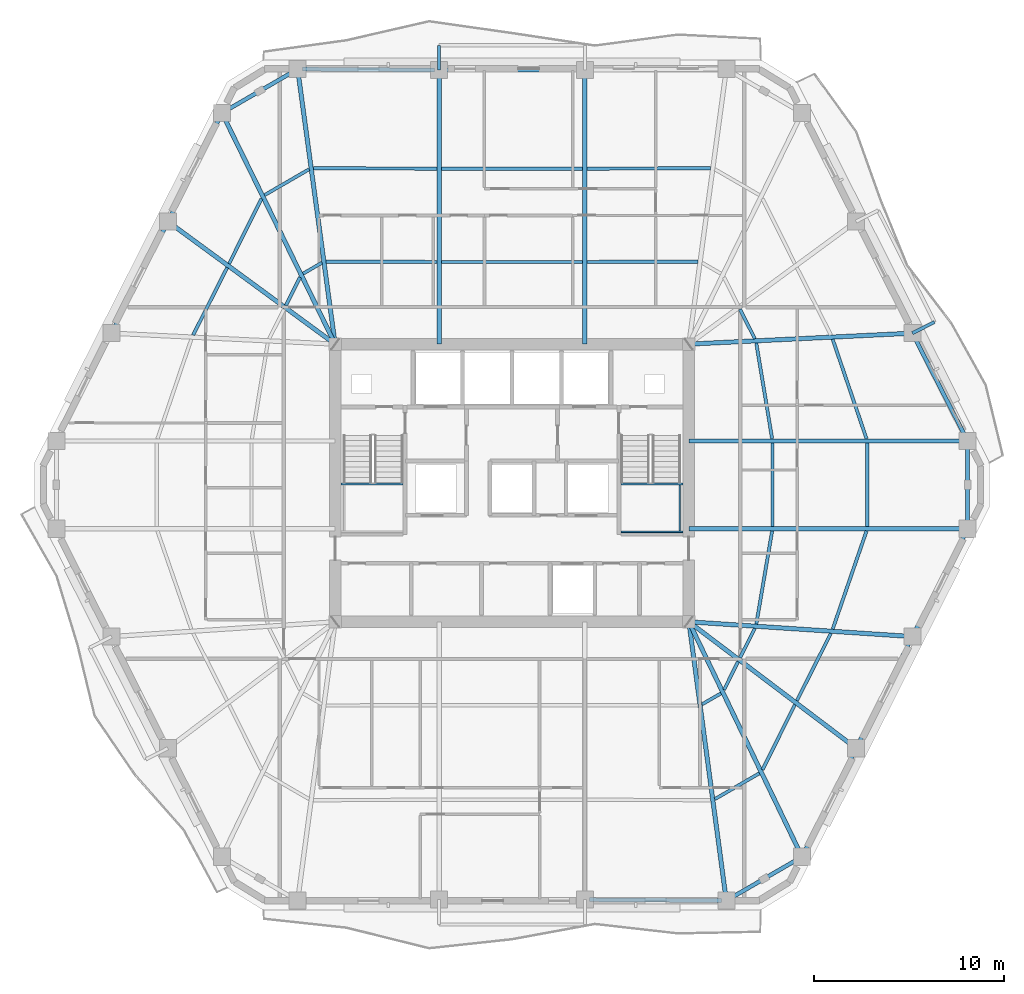
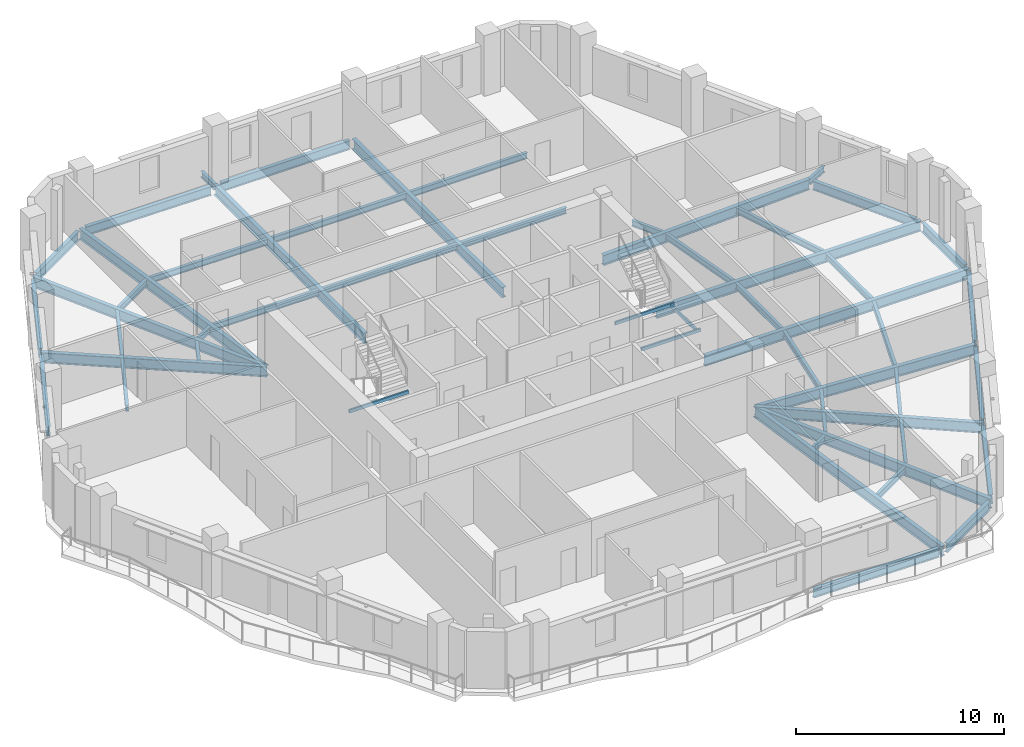
# One storey, part 2 of 12: 54 beams.
"""IFC4 building model written with IfcOpenShell, lengths in metres."""

from ifc_helpers import new_model, si_unit, direction, frame, origin, origin_2d, place, context, subcontext, project, spatial, hollow_rectangle, i_section, extrude, material, material_profile, profile_set, type_object, element, save


model = new_model("IFC4")

# Units and contexts
model_context = context("Model", 3, precision=1e-05, world=origin(), true_north=direction((0.0, 1.0)))
body_context = subcontext(model_context, "Body", "Model", "MODEL_VIEW")
ifc_project = project(units=[si_unit("LENGTHUNIT", "METRE"), si_unit("AREAUNIT", "SQUARE_METRE"), si_unit("VOLUMEUNIT", "CUBIC_METRE"), si_unit("PLANEANGLEUNIT", "RADIAN"), si_unit("MASSUNIT", "GRAM", prefix="KILO")], contexts=[model_context])

# Site, building, storey
site_placement = place(None, origin())
site = spatial("IfcSite", under=ifc_project, at=site_placement, CompositionType="ELEMENT")
building_placement = place(site_placement, origin())
building = spatial("IfcBuilding", under=site, at=building_placement, Name="Cinnabar Lancet Tower", CompositionType="ELEMENT")
storey_placement = place(building_placement, frame((0.0, 0.0, 153.5)))
storey = spatial("IfcBuildingStorey", under=building, at=storey_placement, Name="L40", CompositionType="ELEMENT", Elevation=153.5)

# Beams
ifc_material_1 = material(Name="Structural steel S355", Category="steel")
ifc_material_profile_1 = material_profile(ifc_material_1, i_section(OverallWidth=0.17138671875, OverallDepth=0.35498046875, WebThickness=0.00732421875, FlangeThickness=0.011474609375, FilletRadius=0.01025390625, at=origin_2d()), Name="UKB 356x171x51")
ifc_profile_set_1 = profile_set([ifc_material_profile_1], Name="Structural steel S355")
beam_type_1 = type_object("IfcBeamType", Name="STR-BM-JST-356", PredefinedType="JOIST", material=ifc_profile_set_1)
beam_1_placement = place(storey_placement, frame((43.06689453125, 9.279052734375, -0.387939453125), z_axis=(0.865172906898, 0.501473669469, 0.0), x_axis=(-0.501473669469, 0.865172906898, 0.0)))
element("IfcBeam", 1, at=beam_1_placement, inside=storey, type_object=beam_type_1, Name="L40 Secondary Floor Joist 15", PredefinedType="JOIST", context=body_context, shape_type="SweptSolid", body=[
    extrude(i_section(OverallWidth=0.17138671875, OverallDepth=0.35498046875, WebThickness=0.00732421875, FlangeThickness=0.011474609375, FilletRadius=0.01025390625, at=origin_2d()), origin(), (0.0, 0.0, 1.0), 2.705810546875),
])
beam_2_placement = place(storey_placement, frame((42.39794921875, 14.263916015625, -0.387939453125), z_axis=(0.865426285481, 0.501036270542, 0.0), x_axis=(-0.501036270542, 0.865426285481, 0.0)))
element("IfcBeam", 2, at=beam_2_placement, inside=storey, type_object=beam_type_1, Name="L40 Secondary Floor Joist 16", PredefinedType="JOIST", context=body_context, shape_type="SweptSolid", body=[
    extrude(i_section(OverallWidth=0.17138671875, OverallDepth=0.35498046875, WebThickness=0.00732421875, FlangeThickness=0.011474609375, FilletRadius=0.01025390625, at=origin_2d()), origin(), (0.0, 0.0, 1.0), 1.1416015625),
])
beam_3_placement = place(storey_placement, frame((45.572021484375, 10.822998046875, -0.387939453125), z_axis=(0.445320605596, 0.895371184611, 0.0), x_axis=(-0.895371184611, 0.445320605596, 0.0)))
element("IfcBeam", 3, at=beam_3_placement, inside=storey, type_object=beam_type_1, Name="L40 Secondary Floor Joist 17", PredefinedType="JOIST", context=body_context, shape_type="SweptSolid", body=[
    extrude(i_section(OverallWidth=0.17138671875, OverallDepth=0.35498046875, WebThickness=0.00732421875, FlangeThickness=0.011474609375, FilletRadius=0.01025390625, at=origin_2d()), origin(), (0.0, 0.0, 1.0), 3.819580078125),
])
beam_4_placement = place(storey_placement, frame((43.549072265625, 15.02294921875, -0.387939453125), z_axis=(0.445203586036, 0.895429375764, 0.0), x_axis=(-0.895429375764, 0.445203586036, 0.0)))
element("IfcBeam", 4, at=beam_4_placement, inside=storey, type_object=beam_type_1, Name="L40 Secondary Floor Joist 18", PredefinedType="JOIST", context=body_context, shape_type="SweptSolid", body=[
    extrude(i_section(OverallWidth=0.17138671875, OverallDepth=0.35498046875, WebThickness=0.00732421875, FlangeThickness=0.011474609375, FilletRadius=0.01025390625, at=origin_2d()), origin(), (0.0, 0.0, 1.0), 1.65283203125),
])
beam_5_placement = place(storey_placement, frame((47.376953125, 14.450927734375, -0.387939453125), z_axis=(0.450656035687, 0.892697674187, 0.0), x_axis=(-0.892697674187, 0.450656035687, 0.0)))
element("IfcBeam", 5, at=beam_5_placement, inside=storey, type_object=beam_type_1, Name="L40 Secondary Floor Joist 19", PredefinedType="JOIST", context=body_context, shape_type="SweptSolid", body=[
    extrude(i_section(OverallWidth=0.17138671875, OverallDepth=0.35498046875, WebThickness=0.00732421875, FlangeThickness=0.011474609375, FilletRadius=0.01025390625, at=origin_2d()), origin(), (0.0, 0.0, 1.0), 3.9677734375),
])
beam_6_placement = place(storey_placement, frame((44.388916015625, 16.7099609375, -0.387939453125), z_axis=(0.45064755491, 0.892701955444, 0.0), x_axis=(-0.892701955444, 0.45064755491, 0.0)))
element("IfcBeam", 6, at=beam_6_placement, inside=storey, type_object=beam_type_1, Name="L40 Secondary Floor Joist 20", PredefinedType="JOIST", context=body_context, shape_type="SweptSolid", body=[
    extrude(i_section(OverallWidth=0.17138671875, OverallDepth=0.35498046875, WebThickness=0.00732421875, FlangeThickness=0.011474609375, FilletRadius=0.01025390625, at=origin_2d()), origin(), (0.0, 0.0, 1.0), 1.733154296875),
])
beam_7_placement = place(storey_placement, frame((49.260009765625, 18.215087890625, -0.387939453125), z_axis=(0.326162915393, 0.945313573701, 0.0), x_axis=(-0.945313573701, 0.326162915393, 0.0)))
element("IfcBeam", 7, at=beam_7_placement, inside=storey, type_object=beam_type_1, Name="L40 Secondary Floor Joist 21", PredefinedType="JOIST", context=body_context, shape_type="SweptSolid", body=[
    extrude(i_section(OverallWidth=0.17138671875, OverallDepth=0.35498046875, WebThickness=0.00732421875, FlangeThickness=0.011474609375, FilletRadius=0.01025390625, at=origin_2d()), origin(), (0.0, 0.0, 1.0), 5.46044921875),
])
beam_8_placement = place(storey_placement, frame((45.2451171875, 18.47998046875, -0.387939453125), z_axis=(0.167649950638, 0.985846587483, 0.0), x_axis=(-0.985846587483, 0.167649950638, 0.0)))
element("IfcBeam", 8, at=beam_8_placement, inside=storey, type_object=beam_type_1, Name="L40 Secondary Floor Joist 22", PredefinedType="JOIST", context=body_context, shape_type="SweptSolid", body=[
    extrude(i_section(OverallWidth=0.17138671875, OverallDepth=0.35498046875, WebThickness=0.00732421875, FlangeThickness=0.011474609375, FilletRadius=0.01025390625, at=origin_2d()), origin(), (0.0, 0.0, 1.0), 4.96728515625),
])
for number, where, z_axis, x_axis, name in (
    (9, (51.080078125, 23.60498046875, -0.387939453125), (0.0, 1.0, 0.0), (-1.0, 0.0, 0.0), "L40 Secondary Floor Joist 23"),
    (10, (46.096923828125, 23.60498046875, -0.387939453125), (0.0, 1.0, 0.0), (-1.0, 0.0, 0.0), "L40 Secondary Floor Joist 24"),
):
    element("IfcBeam", number, at=place(storey_placement, frame(where, z_axis=z_axis, x_axis=x_axis)), inside=storey, type_object=beam_type_1, Name=name, PredefinedType="JOIST", context=body_context, shape_type="SweptSolid", body=[
        extrude(i_section(OverallWidth=0.17138671875, OverallDepth=0.35498046875, WebThickness=0.00732421875, FlangeThickness=0.011474609375, FilletRadius=0.01025390625, at=origin_2d()), origin(), (0.0, 0.0, 1.0), 4.39013671875),
    ])
beam_9_placement = place(storey_placement, frame((51.0419921875, 28.222900390625, -0.387939453125), z_axis=(-0.322342106762, 0.946623244067, 0.0), x_axis=(-0.946623244067, -0.322342106762, 0.0)))
element("IfcBeam", 11, at=beam_9_placement, inside=storey, type_object=beam_type_1, Name="L40 Secondary Floor Joist 25", PredefinedType="JOIST", context=body_context, shape_type="SweptSolid", body=[
    extrude(i_section(OverallWidth=0.17138671875, OverallDepth=0.35498046875, WebThickness=0.00732421875, FlangeThickness=0.011474609375, FilletRadius=0.01025390625, at=origin_2d()), origin(), (0.0, 0.0, 1.0), 5.5283203125),
])
beam_10_placement = place(storey_placement, frame((46.077880859375, 28.222900390625, -0.387939453125), z_axis=(-0.163375154205, 0.98656401667, 0.0), x_axis=(-0.98656401667, -0.163375154205, 0.0)))
element("IfcBeam", 12, at=beam_10_placement, inside=storey, type_object=beam_type_1, Name="L40 Secondary Floor Joist 26", PredefinedType="JOIST", context=body_context, shape_type="SweptSolid", body=[
    extrude(i_section(OverallWidth=0.17138671875, OverallDepth=0.35498046875, WebThickness=0.00732421875, FlangeThickness=0.011474609375, FilletRadius=0.01025390625, at=origin_2d()), origin(), (0.0, 0.0, 1.0), 5.104736328125),
])
beam_11_placement = place(storey_placement, frame((45.1689453125, 33.48388671875, -0.387939453125), z_axis=(-0.450425008213, 0.892814265106, 0.0), x_axis=(-0.892814265106, -0.450425008213, 0.0)))
element("IfcBeam", 13, at=beam_11_placement, inside=storey, type_object=beam_type_1, Name="L40 Secondary Floor Joist 28", PredefinedType="JOIST", context=body_context, shape_type="SweptSolid", body=[
    extrude(i_section(OverallWidth=0.17138671875, OverallDepth=0.35498046875, WebThickness=0.00732421875, FlangeThickness=0.011474609375, FilletRadius=0.01025390625, at=origin_2d()), origin(), (0.0, 0.0, 1.0), 1.731689453125),
])
beam_12_placement = place(storey_placement, frame((42.844970703125, 42.4541015625, -0.387939453125), z_axis=(-0.999987891549, -0.004921052359, 0.0), x_axis=(0.004921052359, -0.999987891549, 0.0)))
element("IfcBeam", 14, at=beam_12_placement, inside=storey, type_object=beam_type_1, Name="L40 Secondary Floor Joist 33", PredefinedType="JOIST", context=body_context, shape_type="SweptSolid", body=[
    extrude(i_section(OverallWidth=0.17138671875, OverallDepth=0.35498046875, WebThickness=0.00732421875, FlangeThickness=0.011474609375, FilletRadius=0.01025390625, at=origin_2d()), origin(), (0.0, 0.0, 1.0), 6.4990234375),
])
beam_13_placement = place(storey_placement, frame((42.176025390625, 37.5380859375, -0.387939453125), z_axis=(-0.999996629591, -0.002596306157, 0.0), x_axis=(0.002596306157, -0.999996629591, 0.0)))
element("IfcBeam", 15, at=beam_13_placement, inside=storey, type_object=beam_type_1, Name="L40 Secondary Floor Joist 34", PredefinedType="JOIST", context=body_context, shape_type="SweptSolid", body=[
    extrude(i_section(OverallWidth=0.17138671875, OverallDepth=0.35498046875, WebThickness=0.00732421875, FlangeThickness=0.011474609375, FilletRadius=0.01025390625, at=origin_2d()), origin(), (0.0, 0.0, 1.0), 5.830078125),
])
for number, where, z_axis, x_axis, name in (
    (16, (36.117919921875, 42.4208984375, -0.387939453125), (-1.0, 0.0, 0.0), (0.0, -1.0, 0.0), "L40 Secondary Floor Joist 35"),
    (17, (36.117919921875, 37.52197265625, -0.387939453125), (-1.0, 0.0, 0.0), (0.0, -1.0, 0.0), "L40 Secondary Floor Joist 36"),
):
    element("IfcBeam", number, at=place(storey_placement, frame(where, z_axis=z_axis, x_axis=x_axis)), inside=storey, type_object=beam_type_1, Name=name, PredefinedType="JOIST", context=body_context, shape_type="SweptSolid", body=[
        extrude(i_section(OverallWidth=0.17138671875, OverallDepth=0.35498046875, WebThickness=0.00732421875, FlangeThickness=0.011474609375, FilletRadius=0.01025390625, at=origin_2d()), origin(), (0.0, 0.0, 1.0), 7.43603515625),
    ])
beam_14_placement = place(storey_placement, frame((28.4541015625, 42.422119140625, -0.387939453125), z_axis=(-0.999987891549, 0.004921052359, 0.0), x_axis=(-0.004921052359, -0.999987891549, 0.0)))
element("IfcBeam", 18, at=beam_14_placement, inside=storey, type_object=beam_type_1, Name="L40 Secondary Floor Joist 37", PredefinedType="JOIST", context=body_context, shape_type="SweptSolid", body=[
    extrude(i_section(OverallWidth=0.17138671875, OverallDepth=0.35498046875, WebThickness=0.00732421875, FlangeThickness=0.011474609375, FilletRadius=0.01025390625, at=origin_2d()), origin(), (0.0, 0.0, 1.0), 6.4990234375),
])
beam_15_placement = place(storey_placement, frame((28.4541015625, 37.52294921875, -0.387939453125), z_axis=(-0.999996629591, 0.002596306157, 0.0), x_axis=(-0.002596306157, -0.999996629591, 0.0)))
element("IfcBeam", 19, at=beam_15_placement, inside=storey, type_object=beam_type_1, Name="L40 Secondary Floor Joist 38", PredefinedType="JOIST", context=body_context, shape_type="SweptSolid", body=[
    extrude(i_section(OverallWidth=0.17138671875, OverallDepth=0.35498046875, WebThickness=0.00732421875, FlangeThickness=0.011474609375, FilletRadius=0.01025390625, at=origin_2d()), origin(), (0.0, 0.0, 1.0), 5.830078125),
])
beam_16_placement = place(storey_placement, frame((21.73291015625, 42.39306640625, -0.387939453125), z_axis=(-0.865111063351, -0.50158035056, 0.0), x_axis=(0.50158035056, -0.865111063351, 0.0)))
element("IfcBeam", 20, at=beam_16_placement, inside=storey, type_object=beam_type_1, Name="L40 Secondary Floor Joist 39", PredefinedType="JOIST", context=body_context, shape_type="SweptSolid", body=[
    extrude(i_section(OverallWidth=0.17138671875, OverallDepth=0.35498046875, WebThickness=0.00732421875, FlangeThickness=0.011474609375, FilletRadius=0.01025390625, at=origin_2d()), origin(), (0.0, 0.0, 1.0), 2.705810546875),
])
beam_17_placement = place(storey_placement, frame((22.403076171875, 37.47607421875, -0.387939453125), z_axis=(-0.865640778484, -0.500665599602, 0.0), x_axis=(0.500665599602, -0.865640778484, 0.0)))
element("IfcBeam", 21, at=beam_17_placement, inside=storey, type_object=beam_type_1, Name="L40 Secondary Floor Joist 40", PredefinedType="JOIST", context=body_context, shape_type="SweptSolid", body=[
    extrude(i_section(OverallWidth=0.17138671875, OverallDepth=0.35498046875, WebThickness=0.00732421875, FlangeThickness=0.011474609375, FilletRadius=0.01025390625, at=origin_2d()), origin(), (0.0, 0.0, 1.0), 1.142578125),
])
beam_18_placement = place(storey_placement, frame((19.22900390625, 40.85009765625, -0.387939453125), z_axis=(-0.4452962175, -0.895383313827, 0.0), x_axis=(0.895383313827, -0.4452962175, 0.0)))
element("IfcBeam", 22, at=beam_18_placement, inside=storey, type_object=beam_type_1, Name="L40 Secondary Floor Joist 41", PredefinedType="JOIST", context=body_context, shape_type="SweptSolid", body=[
    extrude(i_section(OverallWidth=0.17138671875, OverallDepth=0.35498046875, WebThickness=0.00732421875, FlangeThickness=0.011474609375, FilletRadius=0.01025390625, at=origin_2d()), origin(), (0.0, 0.0, 1.0), 3.822021484375),
])
beam_19_placement = place(storey_placement, frame((21.2509765625, 36.717041015625, -0.387939453125), z_axis=(-0.445322008813, -0.895370486708, 0.0), x_axis=(0.895370486708, -0.445322008813, 0.0)))
element("IfcBeam", 23, at=beam_19_placement, inside=storey, type_object=beam_type_1, Name="L40 Secondary Floor Joist 42", PredefinedType="JOIST", context=body_context, shape_type="SweptSolid", body=[
    extrude(i_section(OverallWidth=0.17138671875, OverallDepth=0.35498046875, WebThickness=0.00732421875, FlangeThickness=0.011474609375, FilletRadius=0.01025390625, at=origin_2d()), origin(), (0.0, 0.0, 1.0), 1.65283203125),
])
beam_20_placement = place(storey_placement, frame((17.423095703125, 37.221923828125, -0.387939453125), z_axis=(-0.450656035687, -0.892697674187, 0.0), x_axis=(0.892697674187, -0.450656035687, 0.0)))
element("IfcBeam", 24, at=beam_20_placement, inside=storey, type_object=beam_type_1, Name="L40 Secondary Floor Joist 43", PredefinedType="JOIST", context=body_context, shape_type="SweptSolid", body=[
    extrude(i_section(OverallWidth=0.17138671875, OverallDepth=0.35498046875, WebThickness=0.00732421875, FlangeThickness=0.011474609375, FilletRadius=0.01025390625, at=origin_2d()), origin(), (0.0, 0.0, 1.0), 3.9677734375),
])
ifc_material_2 = material(Name="Structural steel S355", Category="steel")
ifc_material_profile_2 = material_profile(ifc_material_2, hollow_rectangle(XDim=0.10009765625, YDim=0.199951171875, WallThickness=0.008056640625, InnerFilletRadius=0.00390625, OuterFilletRadius=0.011962890625, at=origin_2d()), Name="RHS 200x100x8")
ifc_profile_set_2 = profile_set([ifc_material_profile_2], Name="Structural steel S355")
beam_type_2 = type_object("IfcBeamType", Name="STR-BM-LND-203", PredefinedType="BEAM", material=ifc_profile_set_2)
beam_21_placement = place(storey_placement, frame((23.39990234375, 25.844970703125, 1.47509765625), z_axis=(1.0, 0.0, 0.0), x_axis=(0.0, 1.0, 0.0)))
element("IfcBeam", 25, at=beam_21_placement, inside=storey, type_object=beam_type_2, Name="L40 ST-1-L40 Landing Support Beam N", PredefinedType="BEAM", context=body_context, shape_type="SweptSolid", body=[
    extrude(hollow_rectangle(XDim=0.10009765625, YDim=0.199951171875, WallThickness=0.008056640625, InnerFilletRadius=0.00390625, OuterFilletRadius=0.011962890625, at=origin_2d()), origin(), (0.0, 0.0, 1.0), 3.280029296875),
])
for number, where, z_axis, x_axis, name in (
    (26, (38.1201171875, 23.330078125, 1.47509765625), (1.0, 0.0, 0.0), (0.0, 1.0, 0.0), "L40 ST-2-L40 Landing Support Beam S"),
    (27, (38.1201171875, 25.844970703125, 1.47509765625), (1.0, 0.0, 0.0), (0.0, 1.0, 0.0), "L40 ST-2-L40 Landing Support Beam N"),
):
    element("IfcBeam", number, at=place(storey_placement, frame(where, z_axis=z_axis, x_axis=x_axis)), inside=storey, type_object=beam_type_2, Name=name, PredefinedType="BEAM", context=body_context, shape_type="SweptSolid", body=[
        extrude(hollow_rectangle(XDim=0.10009765625, YDim=0.199951171875, WallThickness=0.008056640625, InnerFilletRadius=0.00390625, OuterFilletRadius=0.011962890625, at=origin_2d()), origin(), (0.0, 0.0, 1.0), 3.27978515625),
    ])
beam_22_placement = place(storey_placement, frame((41.219970703125, 23.3798828125, 1.47509765625), z_axis=(0.0, 1.0, 0.0), x_axis=(-1.0, 0.0, 0.0)))
element("IfcBeam", 28, at=beam_22_placement, inside=storey, type_object=beam_type_2, Name="L40 ST-2-L40 Landing Side Trimmer Beam", PredefinedType="BEAM", context=body_context, shape_type="SweptSolid", body=[
    extrude(hollow_rectangle(XDim=0.10009765625, YDim=0.199951171875, WallThickness=0.008056640625, InnerFilletRadius=0.00390625, OuterFilletRadius=0.011962890625, at=origin_2d()), origin(), (0.0, 0.0, 1.0), 2.4150390625),
])
ifc_material_3 = material(Name="Structural steel S355", Category="steel")
ifc_material_profile_3 = material_profile(ifc_material_3, i_section(OverallWidth=0.209228515625, OverallDepth=0.533203125, WebThickness=0.010009765625, FlangeThickness=0.015625, FilletRadius=0.0126953125, at=origin_2d()), Name="UKB 533x210x92")
ifc_profile_set_3 = profile_set([ifc_material_profile_3], Name="Structural steel S355")
beam_type_3 = type_object("IfcBeamType", Name="STR-BM-SPN-533", PredefinedType="SPANDREL", material=ifc_profile_set_3)
beam_23_placement = place(storey_placement, frame((36.48193359375, 3.989990234375, -0.47705078125), z_axis=(0.999974980359, -0.007073800628, 0.0), x_axis=(0.007073800628, 0.999974980359, 0.0)))
element("IfcBeam", 29, at=beam_23_placement, inside=storey, type_object=beam_type_3, Name="L40 Perimeter Spandrel 3", PredefinedType="SPANDREL", context=body_context, shape_type="SweptSolid", body=[
    extrude(i_section(OverallWidth=0.209228515625, OverallDepth=0.533203125, WebThickness=0.010009765625, FlangeThickness=0.015625, FilletRadius=0.0126953125, at=origin_2d()), origin(), (0.0, 0.0, 1.0), 6.937255859375),
])
beam_24_placement = place(storey_placement, frame((43.885009765625, 4.06396484375, -0.47705078125), z_axis=(0.865112299906, 0.501578217781, 0.0), x_axis=(-0.501578217781, 0.865112299906, 0.0)))
element("IfcBeam", 30, at=beam_24_placement, inside=storey, type_object=beam_type_3, Name="L40 Perimeter Spandrel 4", PredefinedType="SPANDREL", context=body_context, shape_type="SweptSolid", body=[
    extrude(i_section(OverallWidth=0.209228515625, OverallDepth=0.533203125, WebThickness=0.010009765625, FlangeThickness=0.015625, FilletRadius=0.0126953125, at=origin_2d()), origin(), (0.0, 0.0, 1.0), 4.101318359375),
])
beam_25_placement = place(storey_placement, frame((47.760009765625, 6.469970703125, -0.47705078125), z_axis=(0.445501068635, 0.89528140707, 0.0), x_axis=(-0.89528140707, 0.445501068635, 0.0)))
element("IfcBeam", 31, at=beam_25_placement, inside=storey, type_object=beam_type_3, Name="L40 Perimeter Spandrel 5", PredefinedType="SPANDREL", context=body_context, shape_type="SweptSolid", body=[
    extrude(i_section(OverallWidth=0.209228515625, OverallDepth=0.533203125, WebThickness=0.010009765625, FlangeThickness=0.015625, FilletRadius=0.0126953125, at=origin_2d()), origin(), (0.0, 0.0, 1.0), 5.87646484375),
])
beam_26_placement = place(storey_placement, frame((50.60205078125, 12.177978515625, -0.47705078125), z_axis=(0.450570325924, 0.892740937449, 0.0), x_axis=(-0.892740937449, 0.450570325924, 0.0)))
element("IfcBeam", 32, at=beam_26_placement, inside=storey, type_object=beam_type_3, Name="L40 Perimeter Spandrel 6", PredefinedType="SPANDREL", context=body_context, shape_type="SweptSolid", body=[
    extrude(i_section(OverallWidth=0.209228515625, OverallDepth=0.533203125, WebThickness=0.010009765625, FlangeThickness=0.015625, FilletRadius=0.0126953125, at=origin_2d()), origin(), (0.0, 0.0, 1.0), 6.07470703125),
])
beam_27_placement = place(storey_placement, frame((53.56591796875, 18.0458984375, -0.47705078125), z_axis=(0.456109733574, 0.889923542187, 0.0), x_axis=(-0.889923542187, 0.456109733574, 0.0)))
element("IfcBeam", 33, at=beam_27_placement, inside=storey, type_object=beam_type_3, Name="L40 Perimeter Spandrel 7", PredefinedType="SPANDREL", context=body_context, shape_type="SweptSolid", body=[
    extrude(i_section(OverallWidth=0.209228515625, OverallDepth=0.533203125, WebThickness=0.010009765625, FlangeThickness=0.015625, FilletRadius=0.0126953125, at=origin_2d()), origin(), (0.0, 0.0, 1.0), 5.869140625),
])
beam_28_placement = place(storey_placement, frame((56.35693359375, 23.740966796875, -0.47705078125), z_axis=(0.0, 1.0, 0.0), x_axis=(-1.0, 0.0, 0.0)))
element("IfcBeam", 34, at=beam_28_placement, inside=storey, type_object=beam_type_3, Name="L40 Perimeter Spandrel 8", PredefinedType="SPANDREL", context=body_context, shape_type="SweptSolid", body=[
    extrude(i_section(OverallWidth=0.209228515625, OverallDepth=0.533203125, WebThickness=0.010009765625, FlangeThickness=0.015625, FilletRadius=0.0126953125, at=origin_2d()), origin(), (0.0, 0.0, 1.0), 4.117919921875),
])
beam_29_placement = place(storey_placement, frame((56.242919921875, 28.3310546875, -0.47705078125), z_axis=(-0.456126618405, 0.889914888055, 0.0), x_axis=(-0.889914888055, -0.456126618405, 0.0)))
element("IfcBeam", 35, at=beam_29_placement, inside=storey, type_object=beam_type_3, Name="L40 Perimeter Spandrel 9", PredefinedType="SPANDREL", context=body_context, shape_type="SweptSolid", body=[
    extrude(i_section(OverallWidth=0.209228515625, OverallDepth=0.533203125, WebThickness=0.010009765625, FlangeThickness=0.015625, FilletRadius=0.0126953125, at=origin_2d()), origin(), (0.0, 0.0, 1.0), 5.868896484375),
])
beam_30_placement = place(storey_placement, frame((35.98193359375, 47.60791015625, -0.47705078125), z_axis=(-1.0, 0.0, 0.0), x_axis=(0.0, -1.0, 0.0)))
element("IfcBeam", 36, at=beam_30_placement, inside=storey, type_object=beam_type_3, Name="L40 Perimeter Spandrel 14", PredefinedType="SPANDREL", context=body_context, shape_type="SweptSolid", body=[
    extrude(i_section(OverallWidth=0.209228515625, OverallDepth=0.533203125, WebThickness=0.010009765625, FlangeThickness=0.015625, FilletRadius=0.0126953125, at=origin_2d()), origin(), (0.0, 0.0, 1.0), 7.163818359375),
])
beam_31_placement = place(storey_placement, frame((28.318115234375, 47.610107421875, -0.47705078125), z_axis=(-0.999975228682, 0.007038609338, 0.0), x_axis=(-0.007038609338, -0.999975228682, 0.0)))
element("IfcBeam", 37, at=beam_31_placement, inside=storey, type_object=beam_type_3, Name="L40 Perimeter Spandrel 15", PredefinedType="SPANDREL", context=body_context, shape_type="SweptSolid", body=[
    extrude(i_section(OverallWidth=0.209228515625, OverallDepth=0.533203125, WebThickness=0.010009765625, FlangeThickness=0.015625, FilletRadius=0.0126953125, at=origin_2d()), origin(), (0.0, 0.0, 1.0), 6.937255859375),
])
beam_32_placement = place(storey_placement, frame((20.9150390625, 47.535888671875, -0.47705078125), z_axis=(-0.865138129765, -0.5015336643, 0.0), x_axis=(0.5015336643, -0.865138129765, 0.0)))
element("IfcBeam", 38, at=beam_32_placement, inside=storey, type_object=beam_type_3, Name="L40 Perimeter Spandrel 16", PredefinedType="SPANDREL", context=body_context, shape_type="SweptSolid", body=[
    extrude(i_section(OverallWidth=0.209228515625, OverallDepth=0.533203125, WebThickness=0.010009765625, FlangeThickness=0.015625, FilletRadius=0.0126953125, at=origin_2d()), origin(), (0.0, 0.0, 1.0), 4.10107421875),
])
beam_33_placement = place(storey_placement, frame((17.0400390625, 45.1298828125, -0.47705078125), z_axis=(-0.445501068635, -0.89528140707, 0.0), x_axis=(0.89528140707, -0.445501068635, 0.0)))
element("IfcBeam", 39, at=beam_33_placement, inside=storey, type_object=beam_type_3, Name="L40 Perimeter Spandrel 17", PredefinedType="SPANDREL", context=body_context, shape_type="SweptSolid", body=[
    extrude(i_section(OverallWidth=0.209228515625, OverallDepth=0.533203125, WebThickness=0.010009765625, FlangeThickness=0.015625, FilletRadius=0.0126953125, at=origin_2d()), origin(), (0.0, 0.0, 1.0), 5.87646484375),
])
beam_34_placement = place(storey_placement, frame((14.197998046875, 39.422119140625, -0.47705078125), z_axis=(-0.450570325924, -0.892740937449, 0.0), x_axis=(0.892740937449, -0.450570325924, 0.0)))
element("IfcBeam", 40, at=beam_34_placement, inside=storey, type_object=beam_type_3, Name="L40 Perimeter Spandrel 18", PredefinedType="SPANDREL", context=body_context, shape_type="SweptSolid", body=[
    extrude(i_section(OverallWidth=0.209228515625, OverallDepth=0.533203125, WebThickness=0.010009765625, FlangeThickness=0.015625, FilletRadius=0.0126953125, at=origin_2d()), origin(), (0.0, 0.0, 1.0), 6.07470703125),
])
ifc_material_4 = material(Name="Structural steel S355", Category="steel")
ifc_material_profile_4 = material_profile(ifc_material_4, i_section(OverallWidth=0.228271484375, OverallDepth=0.607666015625, WebThickness=0.010986328125, FlangeThickness=0.017333984375, FilletRadius=0.0126953125, at=origin_2d()), Name="UKB 610x229x113")
ifc_profile_set_4 = profile_set([ifc_material_profile_4], Name="Structural steel S355")
beam_type_4 = type_object("IfcBeamType", Name="STR-BM-UKB610-113", PredefinedType="BEAM", material=ifc_profile_set_4)
beam_35_placement = place(storey_placement, frame((50.489013671875, 11.955078125, -0.513916015625), z_axis=(-0.797675450227, 0.603086955675, 0.0), x_axis=(-0.603086955675, -0.797675450227, 0.0)))
element("IfcBeam", 41, at=beam_35_placement, inside=storey, type_object=beam_type_4, Name="L40 Corner Collector Girder 2", PredefinedType="BEAM", context=body_context, shape_type="SweptSolid", body=[
    extrude(i_section(OverallWidth=0.228271484375, OverallDepth=0.607666015625, WebThickness=0.010986328125, FlangeThickness=0.017333984375, FilletRadius=0.0126953125, at=origin_2d()), origin(), (0.0, 0.0, 1.0), 11.018310546875),
])
beam_36_placement = place(storey_placement, frame((14.31103515625, 39.64501953125, -0.513916015625), z_axis=(0.806415678013, -0.591349096774, 0.0), x_axis=(0.591349096774, 0.806415678013, 0.0)))
element("IfcBeam", 42, at=beam_36_placement, inside=storey, type_object=beam_type_4, Name="L40 Corner Collector Girder 4", PredefinedType="BEAM", context=body_context, shape_type="SweptSolid", body=[
    extrude(i_section(OverallWidth=0.228271484375, OverallDepth=0.607666015625, WebThickness=0.010986328125, FlangeThickness=0.017333984375, FilletRadius=0.0126953125, at=origin_2d()), origin(), (0.0, 0.0, 1.0), 10.89892578125),
])
beam_37_placement = place(storey_placement, frame((43.6689453125, 3.93896484375, -0.513916015625), z_axis=(-0.133105256814, 0.991101907277, 0.0), x_axis=(-0.991101907277, -0.133105256814, 0.0)))
element("IfcBeam", 43, at=beam_37_placement, inside=storey, type_object=beam_type_4, Name="L40 Primary Floor Girder 4", PredefinedType="BEAM", context=body_context, shape_type="SweptSolid", body=[
    extrude(i_section(OverallWidth=0.228271484375, OverallDepth=0.607666015625, WebThickness=0.010986328125, FlangeThickness=0.017333984375, FilletRadius=0.0126953125, at=origin_2d()), origin(), (0.0, 0.0, 1.0), 14.792724609375),
])
beam_38_placement = place(storey_placement, frame((47.64892578125, 6.24609375, -0.513916015625), z_axis=(-0.433860052011, 0.900980274628, 0.0), x_axis=(-0.900980274628, -0.433860052011, 0.0)))
element("IfcBeam", 44, at=beam_38_placement, inside=storey, type_object=beam_type_4, Name="L40 Primary Floor Girder 5", PredefinedType="BEAM", context=body_context, shape_type="SweptSolid", body=[
    extrude(i_section(OverallWidth=0.228271484375, OverallDepth=0.607666015625, WebThickness=0.010986328125, FlangeThickness=0.017333984375, FilletRadius=0.0126953125, at=origin_2d()), origin(), (0.0, 0.0, 1.0), 13.711669921875),
])
beam_39_placement = place(storey_placement, frame((53.451904296875, 17.823974609375, -0.513916015625), z_axis=(-0.997826331825, 0.065898494035, 0.0), x_axis=(-0.065898494035, -0.997826331825, 0.0)))
element("IfcBeam", 45, at=beam_39_placement, inside=storey, type_object=beam_type_4, Name="L40 Primary Floor Girder 7", PredefinedType="BEAM", context=body_context, shape_type="SweptSolid", body=[
    extrude(i_section(OverallWidth=0.228271484375, OverallDepth=0.607666015625, WebThickness=0.010986328125, FlangeThickness=0.017333984375, FilletRadius=0.0126953125, at=origin_2d()), origin(), (0.0, 0.0, 1.0), 11.777587890625),
])
for number, where, z_axis, x_axis, name in (
    (46, (56.35693359375, 23.490966796875, -0.513916015625), (-1.0, 0.0, 0.0), (0.0, -1.0, 0.0), "L40 Primary Floor Girder 8"),
    (47, (56.35693359375, 28.10888671875, -0.513916015625), (-1.0, 0.0, 0.0), (0.0, -1.0, 0.0), "L40 Primary Floor Girder 9"),
):
    element("IfcBeam", number, at=place(storey_placement, frame(where, z_axis=z_axis, x_axis=x_axis)), inside=storey, type_object=beam_type_4, Name=name, PredefinedType="BEAM", context=body_context, shape_type="SweptSolid", body=[
        extrude(i_section(OverallWidth=0.228271484375, OverallDepth=0.607666015625, WebThickness=0.010986328125, FlangeThickness=0.017333984375, FilletRadius=0.0126953125, at=origin_2d()), origin(), (0.0, 0.0, 1.0), 14.656982421875),
    ])
beam_40_placement = place(storey_placement, frame((53.451904296875, 33.77587890625, -0.513916015625), z_axis=(-0.998801316657, -0.048948236372, 0.0), x_axis=(0.048948236372, -0.998801316657, 0.0)))
element("IfcBeam", 48, at=beam_40_placement, inside=storey, type_object=beam_type_4, Name="L40 Primary Floor Girder 10", PredefinedType="BEAM", context=body_context, shape_type="SweptSolid", body=[
    extrude(i_section(OverallWidth=0.228271484375, OverallDepth=0.607666015625, WebThickness=0.010986328125, FlangeThickness=0.017333984375, FilletRadius=0.0126953125, at=origin_2d()), origin(), (0.0, 0.0, 1.0), 11.76611328125),
])
for number, where, z_axis, x_axis, name in (
    (49, (36.23193359375, 47.60791015625, -0.513916015625), (0.0, -1.0, 0.0), (1.0, 0.0, 0.0), "L40 Primary Floor Girder 14"),
    (50, (28.568115234375, 47.60791015625, -0.513916015625), (0.0, -1.0, 0.0), (1.0, 0.0, 0.0), "L40 Primary Floor Girder 15"),
):
    element("IfcBeam", number, at=place(storey_placement, frame(where, z_axis=z_axis, x_axis=x_axis)), inside=storey, type_object=beam_type_4, Name=name, PredefinedType="BEAM", context=body_context, shape_type="SweptSolid", body=[
        extrude(i_section(OverallWidth=0.228271484375, OverallDepth=0.607666015625, WebThickness=0.010986328125, FlangeThickness=0.017333984375, FilletRadius=0.0126953125, at=origin_2d()), origin(), (0.0, 0.0, 1.0), 14.407958984375),
    ])
beam_41_placement = place(storey_placement, frame((21.131103515625, 47.660888671875, -0.513916015625), z_axis=(0.134914632731, -0.990857225777, 0.0), x_axis=(0.990857225777, 0.134914632731, 0.0)))
element("IfcBeam", 51, at=beam_41_placement, inside=storey, type_object=beam_type_4, Name="L40 Primary Floor Girder 16", PredefinedType="BEAM", context=body_context, shape_type="SweptSolid", body=[
    extrude(i_section(OverallWidth=0.228271484375, OverallDepth=0.607666015625, WebThickness=0.010986328125, FlangeThickness=0.017333984375, FilletRadius=0.0126953125, at=origin_2d()), origin(), (0.0, 0.0, 1.0), 14.594482421875),
])
beam_42_placement = place(storey_placement, frame((17.15087890625, 45.35400390625, -0.513916015625), z_axis=(0.439641746189, -0.898173221048, 0.0), x_axis=(0.898173221048, 0.439641746189, 0.0)))
element("IfcBeam", 52, at=beam_42_placement, inside=storey, type_object=beam_type_4, Name="L40 Primary Floor Girder 17", PredefinedType="BEAM", context=body_context, shape_type="SweptSolid", body=[
    extrude(i_section(OverallWidth=0.228271484375, OverallDepth=0.607666015625, WebThickness=0.010986328125, FlangeThickness=0.017333984375, FilletRadius=0.0126953125, at=origin_2d()), origin(), (0.0, 0.0, 1.0), 13.531982421875),
])
ifc_material_5 = material(Name="Structural steel S355", Category="steel")
ifc_material_profile_5 = material_profile(ifc_material_5, i_section(OverallWidth=0.17138671875, OverallDepth=0.35498046875, WebThickness=0.00732421875, FlangeThickness=0.011474609375, FilletRadius=0.01025390625, at=origin_2d()), Name="UKB 356x171x51")
ifc_profile_set_5 = profile_set([ifc_material_profile_5], Name="Structural steel S355")
beam_type_5 = type_object("IfcBeamType", Name="STR-BM-WAV-OUT", PredefinedType="BEAM", material=ifc_profile_set_5)
beam_43_placement = place(storey_placement, frame((53.451904296875, 33.77587890625, -0.39794921875), z_axis=(0.892238560088, 0.451564338597, 0.0), x_axis=(-0.451564338597, 0.892238560088, 0.0)))
element("IfcBeam", 53, at=beam_43_placement, inside=storey, type_object=beam_type_5, Name="L40 Face 3 Balcony Outlooker A", PredefinedType="BEAM", context=body_context, shape_type="SweptSolid", body=[
    extrude(i_section(OverallWidth=0.17138671875, OverallDepth=0.35498046875, WebThickness=0.00732421875, FlangeThickness=0.011474609375, FilletRadius=0.01025390625, at=origin_2d()), origin(), (0.0, 0.0, 1.0), 1.30029296875),
])
beam_44_placement = place(storey_placement, frame((28.568115234375, 47.60791015625, -0.39794921875), z_axis=(0.0, 1.0, 0.0), x_axis=(-1.0, 0.0, 0.0)))
element("IfcBeam", 54, at=beam_44_placement, inside=storey, type_object=beam_type_5, Name="L40 Face 4 Balcony Outlooker B", PredefinedType="BEAM", context=body_context, shape_type="SweptSolid", body=[
    extrude(i_section(OverallWidth=0.17138671875, OverallDepth=0.35498046875, WebThickness=0.00732421875, FlangeThickness=0.011474609375, FilletRadius=0.01025390625, at=origin_2d()), origin(), (0.0, 0.0, 1.0), 1.300048828125),
])

save(model, "model.ifc")
